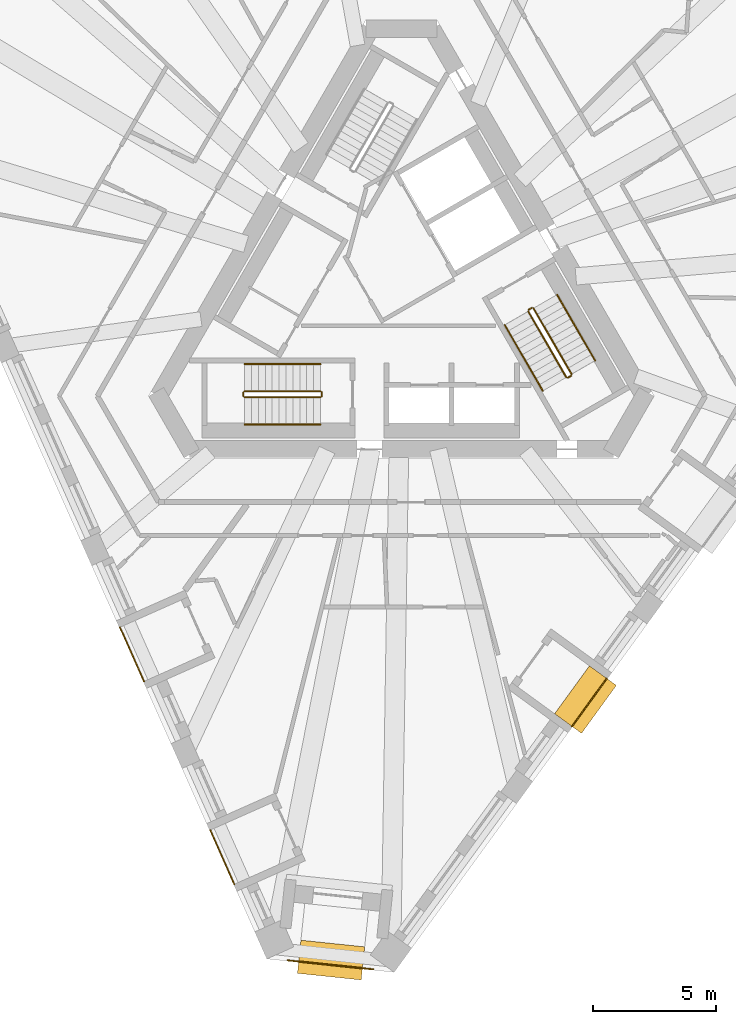
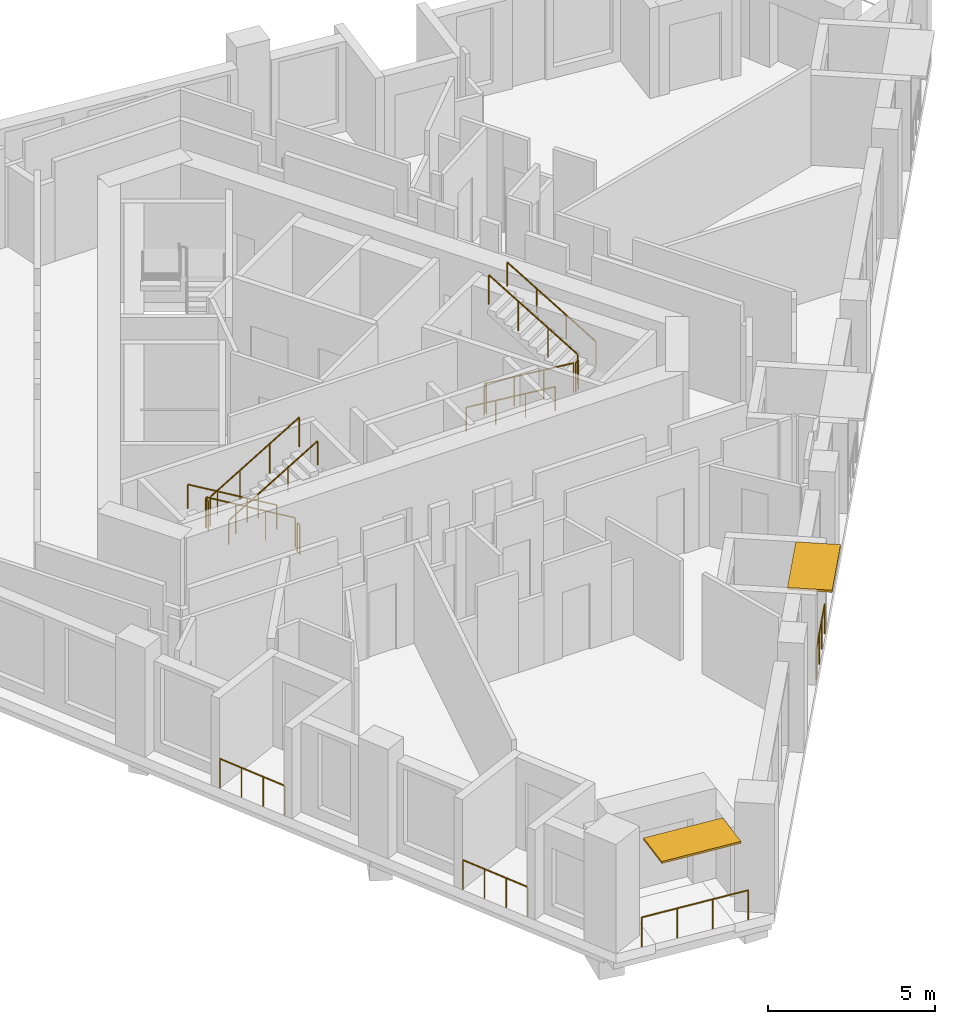
# One storey, part 9 of 11: 16 railings, 2 shading devices.
"""IFC4 building model written with IfcOpenShell, lengths in metres."""

import ifcopenshell
import ifcopenshell.guid

model = None  # the IFC model being written
_history = None  # IfcOwnerHistory: only IFC2X3 demands one
_inside = {}  # id of a spatial element -> (the spatial element, [elements in it])
_under = {}  # id of a project, library or spatial element -> (it, [spatial elements below it])
_declared = {}  # id of a project -> (the project, [libraries it declares])
_typed = {}  # id of a type object -> (the type object, [elements of that type])
_made_of = {}  # id of a material, layer set ... -> (it, [elements and type objects made of it])


def new_model(schema):
    """Start an empty IFC model of exactly this schema.

    Asked for "IFC4X3", IfcOpenShell would pick the latest addendum, in which some entities
    have other attributes; the version numbers below select the first issue.
    IFC2X3 requires an IfcOwnerHistory on every rooted entity: one is made here for all.
    """
    global model, _history
    if schema == "IFC4X3":
        model = ifcopenshell.file(schema_version=(4, 3, 0, 0))
    else:
        model = ifcopenshell.file(schema=schema)
    _inside.clear()
    _under.clear()
    _declared.clear()
    _typed.clear()
    _made_of.clear()
    _history = None
    if model.schema == "IFC2X3":
        org = make("IfcOrganization", Name="unknown")
        user = make(
            "IfcPersonAndOrganization",
            ThePerson=make("IfcPerson", FamilyName="unknown"),
            TheOrganization=org,
        )
        app = make(
            "IfcApplication",
            ApplicationDeveloper=org,
            Version="unknown",
            ApplicationFullName="unknown",
            ApplicationIdentifier="unknown",
        )
        _history = make(
            "IfcOwnerHistory",
            OwningUser=user,
            OwningApplication=app,
            ChangeAction="ADDED",
            CreationDate=0,
        )
    return model


def make(cls, **values):
    """One entity of the class cls with the attributes given. An attribute that is None is left unset."""
    return model.create_entity(
        cls, **{name: value for name, value in values.items() if value is not None}
    )


def rooted(cls, **values):
    """An entity with a GlobalId (a new one), such as an element, a storey or a relation."""
    return make(cls, GlobalId=ifcopenshell.guid.new(), OwnerHistory=_history, **values)


def si_unit(unit_type, name, prefix=None):
    """IfcSIUnit, for example si_unit("LENGTHUNIT", "METRE", prefix="MILLI")."""
    return make("IfcSIUnit", UnitType=unit_type, Prefix=prefix, Name=name)


def assignment(units):
    """IfcUnitAssignment: the units of a project."""
    return None if units is None else make("IfcUnitAssignment", Units=units)


def point(xyz):
    """IfcCartesianPoint."""
    return None if xyz is None else make("IfcCartesianPoint", Coordinates=xyz)


def direction(xyz):
    """IfcDirection."""
    return None if xyz is None else make("IfcDirection", DirectionRatios=xyz)


def frame(location, z_axis=None, x_axis=None):
    """IfcAxis2Placement3D, a coordinate frame: its origin and axes. An axis left out is left unset."""
    return make(
        "IfcAxis2Placement3D",
        Location=point(location),
        Axis=direction(z_axis),
        RefDirection=direction(x_axis),
    )


def frame_2d(location, x_axis=None):
    """IfcAxis2Placement2D, a coordinate frame in the plane: its origin and x axis."""
    return make(
        "IfcAxis2Placement2D", Location=point(location), RefDirection=direction(x_axis)
    )


def origin():
    """The frame at (0, 0, 0) with its axes left unset."""
    return frame((0.0, 0.0, 0.0))


def origin_2d():
    """The frame at (0, 0) in the plane with its x axis left unset."""
    return frame_2d((0.0, 0.0))


def place(relative_to, where):
    """IfcLocalPlacement: puts the frame where relative to a parent placement (None: the world)."""
    return make(
        "IfcLocalPlacement", PlacementRelTo=relative_to, RelativePlacement=where
    )


def context(
    kind, dimensions, precision=None, world=None, true_north=None, identifier=None
):
    """IfcGeometricRepresentationContext, for example the 3D "Model" context."""
    return make(
        "IfcGeometricRepresentationContext",
        ContextIdentifier=identifier,
        ContextType=kind,
        CoordinateSpaceDimension=dimensions,
        Precision=precision,
        WorldCoordinateSystem=world,
        TrueNorth=true_north,
    )


def subcontext(parent, identifier, kind, view, scale=None):
    """IfcGeometricRepresentationSubContext, for example "Body" below "Model"."""
    return make(
        "IfcGeometricRepresentationSubContext",
        ContextIdentifier=identifier,
        ContextType=kind,
        ParentContext=parent,
        TargetScale=scale,
        TargetView=view,
    )


def project(units=None, contexts=None):
    """IfcProject with its units and contexts."""
    return rooted(
        "IfcProject",
        Name="project",
        RepresentationContexts=contexts,
        UnitsInContext=assignment(units),
    )


def spatial(cls, under=None, at=None, **own):
    """A site, building, storey or space (cls), placed at a placement, below another one or the project."""
    s = rooted(cls, ObjectPlacement=at, **own)
    if under is not None:
        _under.setdefault(under.id(), (under, []))[1].append(s)
    return s


def profile(cls, at=None, kind="AREA", **sizes):
    """A parametric profile (cls). Its sizes go by their IFC names, for example OverallWidth=200.0."""
    return make(cls, ProfileType=kind, Position=at, **sizes)


def rectangle(**sizes):
    """IfcRectangleProfileDef."""
    return profile("IfcRectangleProfileDef", **sizes)


def circle(**sizes):
    """IfcCircleProfileDef."""
    return profile("IfcCircleProfileDef", **sizes)


def extrude(swept, where, along, depth):
    """IfcExtrudedAreaSolid: the profile swept, set in the frame where, extruded along a direction by depth."""
    return make(
        "IfcExtrudedAreaSolid",
        SweptArea=swept,
        Position=where,
        ExtrudedDirection=direction(along),
        Depth=depth,
    )


def shape(context_of_items, identifier, shape_type, items):
    """IfcShapeRepresentation: the items that make up one representation, for example the "Body"."""
    return make(
        "IfcShapeRepresentation",
        ContextOfItems=context_of_items,
        RepresentationIdentifier=identifier,
        RepresentationType=shape_type,
        Items=items,
    )


def material(Name=None, Category=None):
    """IfcMaterial."""
    return make("IfcMaterial", Name=Name, Category=Category)


def layer(
    of_material, thickness, ventilated=None, Name=None, Category=None, Priority=None
):
    """IfcMaterialLayer: one layer of a wall or slab, of a material (None: an air gap)."""
    return make(
        "IfcMaterialLayer",
        Material=of_material,
        LayerThickness=thickness,
        IsVentilated=ventilated,
        Name=Name,
        Category=Category,
        Priority=Priority,
    )


def layer_set(layers, Name=None):
    """IfcMaterialLayerSet."""
    return make("IfcMaterialLayerSet", MaterialLayers=layers, LayerSetName=Name)


def made_of(thing, what):
    """Note that an element or type object is made of a material, layer set ...; save() writes the relation."""
    if what is not None:
        _made_of.setdefault(what.id(), (what, []))[1].append(thing)
    return thing


def type_object(cls, material=None, **own):
    """A type object (cls), such as IfcWallType, which elements share."""
    return made_of(rooted(cls, **own), material)


def element(
    cls,
    number,
    at=None,
    inside=None,
    cuts=None,
    type_object=None,
    material=None,
    context=None,
    identifier="Body",
    shape_type=None,
    held_by="IfcProductDefinitionShape",
    body=None,
    shapes=None,
    **own,
):
    """One element of the class cls, such as IfcWall. Its Tag is "e" and its number.

    at: its placement. inside: the storey or other place that contains it. cuts: it is an
    opening in that element (IfcRelVoidsElement). A single representation is given by context,
    identifier, shape_type and body (its items); several are given by shapes. held_by: the class
    of the entity that holds the representations. save() writes the other relations.
    """
    e = rooted(cls, Tag="e%d" % number, ObjectPlacement=at, **own)
    if body is not None:
        shapes = [shape(context, identifier, shape_type, body)]
    if shapes is not None:
        e.Representation = make(held_by, Representations=shapes)
    if inside is not None:
        _inside.setdefault(inside.id(), (inside, []))[1].append(e)
    if cuts is not None:
        rooted(
            "IfcRelVoidsElement", RelatingBuildingElement=cuts, RelatedOpeningElement=e
        )
    if type_object is not None:
        _typed.setdefault(type_object.id(), (type_object, []))[1].append(e)
    return made_of(e, material)


def aggregate(whole, parts):
    """IfcRelAggregates: a whole, such as a stair, and the parts it consists of."""
    return rooted("IfcRelAggregates", RelatingObject=whole, RelatedObjects=parts)


def save(model, path):
    """Write the relations noted so far, then the file.

    IfcRelAggregates (storeys below a building ...), IfcRelContainedInSpatialStructure (elements
    in a storey), IfcRelDefinesByType, IfcRelAssociatesMaterial and IfcRelDeclares: one each for
    every whole, place, type object, material and project.
    """
    for whole, parts in _under.values():
        aggregate(whole, parts)
    for where, things in _inside.values():
        rooted(
            "IfcRelContainedInSpatialStructure",
            RelatedElements=things,
            RelatingStructure=where,
        )
    for kind, things in _typed.values():
        rooted("IfcRelDefinesByType", RelatedObjects=things, RelatingType=kind)
    for what, things in _made_of.values():
        rooted("IfcRelAssociatesMaterial", RelatedObjects=things, RelatingMaterial=what)
    for by, libraries in _declared.values():
        rooted("IfcRelDeclares", RelatingContext=by, RelatedDefinitions=libraries)
    model.write(path)


model = new_model("IFC4")

# Units and contexts
model_context = context("Model", 3, precision=1e-05, world=origin(), true_north=direction((0.0, 1.0)))
body_context = subcontext(model_context, "Body", "Model", "MODEL_VIEW")
ifc_project = project(units=[si_unit("LENGTHUNIT", "METRE"), si_unit("AREAUNIT", "SQUARE_METRE"), si_unit("VOLUMEUNIT", "CUBIC_METRE"), si_unit("PLANEANGLEUNIT", "RADIAN"), si_unit("MASSUNIT", "GRAM", prefix="KILO")], contexts=[model_context])

# Site, building, storey
site_placement = place(None, origin())
site = spatial("IfcSite", under=ifc_project, at=site_placement, CompositionType="ELEMENT")
building_placement = place(site_placement, origin())
building = spatial("IfcBuilding", under=site, at=building_placement, Name="Tramontana Tower", CompositionType="ELEMENT")
storey_placement = place(building_placement, frame((0.0, 0.0, 257.199951171875)))
storey = spatial("IfcBuildingStorey", under=building, at=storey_placement, Name="L60", CompositionType="ELEMENT", Elevation=257.199951171875)

# Railings
ifc_material_1 = material(Name="Laminated glass balustrade", Category="glass")
railing_type_1 = type_object("IfcRailingType", Name="GD1 Loggia glass balustrade 1100", PredefinedType="BALUSTRADE", material=ifc_material_1)
for number, where, name in (
    (1, (-11.41455078125, -13.626220703125, 0.0), "Loggia balustrade L60 G6S0.10"),
    (2, (-7.751220703125, -21.854248046875, 0.0), "Loggia balustrade L60 G6S0.13"),
):
    element("IfcRailing", number, at=place(storey_placement, frame(where)), inside=storey, type_object=railing_type_1, Name=name, PredefinedType="BALUSTRADE", context=body_context, shape_type="SweptSolid", body=[
        extrude(circle(Radius=0.02392578125, at=origin_2d()), frame((0.0, 0.0, 1.076171875), z_axis=(0.406723017018, -0.913551524232, 0.0), x_axis=(0.913551524232, 0.406723017018, 0.0)), (0.0, 0.0, 1.0), 2.40234375),
        extrude(circle(Radius=0.02099609375, at=origin_2d()), origin(), (0.0, 0.0, 1.0), 1.052001953125),
        extrude(circle(Radius=0.02099609375, at=origin_2d()), frame((0.32568359375, -0.7314453125, 0.0)), (0.0, 0.0, 1.0), 1.052001953125),
        extrude(circle(Radius=0.02099609375, at=origin_2d()), frame((0.6513671875, -1.463134765625, 0.0)), (0.0, 0.0, 1.0), 1.052001953125),
        extrude(circle(Radius=0.02099609375, at=origin_2d()), frame((0.97705078125, -2.194580078125, 0.0)), (0.0, 0.0, 1.0), 1.052001953125),
    ])
railing_1_placement = place(storey_placement, frame((6.919921875, -17.645263671875, 0.0)))
element("IfcRailing", 3, at=railing_1_placement, inside=storey, type_object=railing_type_1, Name="Loggia balustrade L60 G6S1.4", PredefinedType="BALUSTRADE", context=body_context, shape_type="SweptSolid", body=[
    extrude(circle(Radius=0.02392578125, at=origin_2d()), frame((0.0, 0.0, 1.076171875), z_axis=(0.587784915375, 0.80901723916, 0.0), x_axis=(-0.80901723916, 0.587784915375, 0.0)), (0.0, 0.0, 1.0), 2.40234375),
    extrude(circle(Radius=0.02099609375, at=origin_2d()), origin(), (0.0, 0.0, 1.0), 1.052001953125),
    extrude(circle(Radius=0.02099609375, at=origin_2d()), frame((0.470703125, 0.64794921875, 0.0)), (0.0, 0.0, 1.0), 1.052001953125),
    extrude(circle(Radius=0.02099609375, at=origin_2d()), frame((0.94140625, 1.295654296875, 0.0)), (0.0, 0.0, 1.0), 1.052001953125),
    extrude(circle(Radius=0.02099609375, at=origin_2d()), frame((1.412109375, 1.943603515625, 0.0)), (0.0, 0.0, 1.0), 1.052001953125),
])
railing_2_placement = place(storey_placement, frame((-1.131103515625, -27.50244140625, 0.0)))
element("IfcRailing", 4, at=railing_2_placement, inside=storey, type_object=railing_type_1, Name="Corner loggia balustrade L60 K61", PredefinedType="BALUSTRADE", context=body_context, shape_type="SweptSolid", body=[
    extrude(circle(Radius=0.02392578125, at=origin_2d()), frame((0.0, 0.0, 1.076171875), z_axis=(-0.994518059202, 0.104564955513, 0.0), x_axis=(-0.104564955513, -0.994518059202, 0.0)), (0.0, 0.0, 1.0), 3.5),
    extrude(circle(Radius=0.02099609375, at=origin_2d()), origin(), (0.0, 0.0, 1.0), 1.052001953125),
    extrude(circle(Radius=0.02099609375, at=origin_2d()), frame((-1.16015625, 0.1220703125, 0.0)), (0.0, 0.0, 1.0), 1.052001953125),
    extrude(circle(Radius=0.02099609375, at=origin_2d()), frame((-2.320556640625, 0.243896484375, 0.0)), (0.0, 0.0, 1.0), 1.052001953125),
    extrude(circle(Radius=0.02099609375, at=origin_2d()), frame((-3.480712890625, 0.365966796875, 0.0)), (0.0, 0.0, 1.0), 1.052001953125),
])

# Shading devices
ifc_material_2 = material(Name="Precast concrete 60 MPa", Category="concrete")
ifc_layer_1 = layer(ifc_material_2, 0.070068359375)
ifc_layer_set_1 = layer_set([ifc_layer_1], Name="SS2 Stone sunshade blade 70")
shading_device_type_1 = type_object("IfcShadingDeviceType", Name="SS2 Stone sunshade blade 70", PredefinedType="USERDEFINED", material=ifc_layer_set_1)
shading_device_1_placement = place(storey_placement, frame((-2.85107421875, -27.12548828125, 3.22998046875), z_axis=(0.0, 0.0, 1.0), x_axis=(-0.994521895368, 0.104528463268, 0.0)))
element("IfcShadingDevice", 5, at=shading_device_1_placement, inside=storey, type_object=shading_device_type_1, Name="Corner sunshade L60 K61", ObjectType="SUNSHADE", PredefinedType="USERDEFINED", context=body_context, shape_type="SweptSolid", body=[
    extrude(rectangle(XDim=2.60009765625, YDim=1.35009765625, at=origin_2d()), origin(), (0.0, 0.0, 1.0), 0.070068359375),
])
ifc_material_3 = material(Name="Precast concrete 60 MPa", Category="concrete")
ifc_layer_2 = layer(ifc_material_3, 0.080078125)
ifc_layer_set_2 = layer_set([ifc_layer_2], Name="SS3 Stone sunshade blade 80")
shading_device_type_2 = type_object("IfcShadingDeviceType", Name="SS3 Stone sunshade blade 80", PredefinedType="USERDEFINED", material=ifc_layer_set_2)
shading_device_2_placement = place(storey_placement, frame((7.46826171875, -16.558837890625, 3.219970703125), z_axis=(0.0, 0.0, 1.0), x_axis=(0.587785252292, 0.809016994375, 0.0)))
element("IfcShadingDevice", 6, at=shading_device_2_placement, inside=storey, type_object=shading_device_type_2, Name="Sunshade L60 G6S1.4", ObjectType="SUNSHADE", PredefinedType="USERDEFINED", context=body_context, shape_type="SweptSolid", body=[
    extrude(rectangle(XDim=2.402099609375, YDim=1.35009765625, at=origin_2d()), origin(), (0.0, 0.0, 1.0), 0.080078125),
])

# Railings
ifc_material_4 = material(Name="Painted steel", Category="steel")
railing_type_2 = type_object("IfcRailingType", Name="STAIR GUARD 1100", PredefinedType="GUARDRAIL", material=ifc_material_4)
railing_3_placement = place(storey_placement, frame((-3.280029296875, -4.050048828125, 0.166748046875)))
element("IfcRailing", 7, at=railing_3_placement, inside=storey, type_object=railing_type_2, Name="L60 ST2 stair guard 1", PredefinedType="GUARDRAIL", context=body_context, shape_type="SweptSolid", body=[
    extrude(circle(Radius=0.02392578125, at=origin_2d()), frame((0.0, 0.0, 1.076171875), z_axis=(-0.859308565015, 0.0, 0.511457515432), x_axis=(0.0, -1.0, 0.0)), (0.0, 0.0, 1.0), 3.58447265625),
    extrude(circle(Radius=0.02099609375, at=origin_2d()), origin(), (0.0, 0.0, 1.0), 1.052001953125),
    extrude(circle(Radius=0.02099609375, at=origin_2d()), frame((-1.026611328125, 0.0, 0.611083984375)), (0.0, 0.0, 1.0), 1.052001953125),
    extrude(circle(Radius=0.02099609375, at=origin_2d()), frame((-2.053466796875, 0.0, 1.22216796875)), (0.0, 0.0, 1.0), 1.052001953125),
    extrude(circle(Radius=0.02099609375, at=origin_2d()), frame((-3.080078125, 0.0, 1.833251953125)), (0.0, 0.0, 1.0), 1.052001953125),
])
railing_4_placement = place(storey_placement, frame((-6.360107421875, -4.300048828125, 2.166748046875)))
element("IfcRailing", 8, at=railing_4_placement, inside=storey, type_object=railing_type_2, Name="L60 ST2 stair guard 2", PredefinedType="GUARDRAIL", context=body_context, shape_type="SweptSolid", body=[
    extrude(circle(Radius=0.02392578125, at=origin_2d()), frame((0.0, 0.0, 1.076171875), z_axis=(0.859308565015, 0.0, 0.511457515432), x_axis=(0.0, 1.0, 0.0)), (0.0, 0.0, 1.0), 3.58447265625),
    extrude(circle(Radius=0.02099609375, at=origin_2d()), origin(), (0.0, 0.0, 1.0), 1.052001953125),
    extrude(circle(Radius=0.02099609375, at=origin_2d()), frame((1.026611328125, 0.0, 0.611083984375)), (0.0, 0.0, 1.0), 1.052001953125),
    extrude(circle(Radius=0.02099609375, at=origin_2d()), frame((2.053466796875, 0.0, 1.22216796875)), (0.0, 0.0, 1.0), 1.052001953125),
    extrude(circle(Radius=0.02099609375, at=origin_2d()), frame((3.080078125, 0.0, 1.833251953125)), (0.0, 0.0, 1.0), 1.052001953125),
])
for number, where, name in (
    (9, (-6.409912109375, -4.10009765625, 2.0), "L60 ST2 stair guard 3"),
    (10, (-3.22998046875, -4.10009765625, 0.0), "L60 ST2 stair guard 4"),
):
    element("IfcRailing", number, at=place(storey_placement, frame(where)), inside=storey, type_object=railing_type_2, Name=name, PredefinedType="GUARDRAIL", context=body_context, shape_type="SweptSolid", body=[
        extrude(circle(Radius=0.02392578125, at=origin_2d()), frame((0.0, 0.0, 1.076171875), z_axis=(0.0, -1.0, 0.0), x_axis=(1.0, 0.0, 0.0)), (0.0, 0.0, 1.0), 0.14990234375),
        extrude(circle(Radius=0.02099609375, at=origin_2d()), origin(), (0.0, 0.0, 1.0), 1.052001953125),
        extrude(circle(Radius=0.02099609375, at=origin_2d()), frame((0.0, -0.14990234375, 0.0)), (0.0, 0.0, 1.0), 1.052001953125),
    ])
railing_5_placement = place(storey_placement, frame((5.1474609375, -0.815673828125, 0.166748046875)))
element("IfcRailing", 11, at=railing_5_placement, inside=storey, type_object=railing_type_2, Name="L60 ST3 stair guard 1", PredefinedType="GUARDRAIL", context=body_context, shape_type="SweptSolid", body=[
    extrude(circle(Radius=0.02392578125, at=origin_2d()), frame((0.0, 0.0, 1.076171875), z_axis=(0.429671193721, -0.744159446956, 0.511477646425), x_axis=(0.866010015463, 0.500026652407, 0.0)), (0.0, 0.0, 1.0), 3.584228515625),
    extrude(circle(Radius=0.02099609375, at=origin_2d()), origin(), (0.0, 0.0, 1.0), 1.052001953125),
    extrude(circle(Radius=0.02099609375, at=origin_2d()), frame((0.513427734375, -0.88916015625, 0.611083984375)), (0.0, 0.0, 1.0), 1.052001953125),
    extrude(circle(Radius=0.02099609375, at=origin_2d()), frame((1.026611328125, -1.778076171875, 1.22216796875)), (0.0, 0.0, 1.0), 1.052001953125),
    extrude(circle(Radius=0.02099609375, at=origin_2d()), frame((1.5400390625, -2.667236328125, 1.833251953125)), (0.0, 0.0, 1.0), 1.052001953125),
])
railing_6_placement = place(storey_placement, frame((6.90380859375, -3.35791015625, 2.166748046875)))
element("IfcRailing", 12, at=railing_6_placement, inside=storey, type_object=railing_type_2, Name="L60 ST3 stair guard 2", PredefinedType="GUARDRAIL", context=body_context, shape_type="SweptSolid", body=[
    extrude(circle(Radius=0.02392578125, at=origin_2d()), frame((0.0, 0.0, 1.076171875), z_axis=(-0.429615651263, 0.74418122563, 0.511492615401), x_axis=(-0.866044340336, -0.499967199496, 0.0)), (0.0, 0.0, 1.0), 3.584228515625),
    extrude(circle(Radius=0.02099609375, at=origin_2d()), origin(), (0.0, 0.0, 1.0), 1.052001953125),
    extrude(circle(Radius=0.02099609375, at=origin_2d()), frame((-0.51318359375, 0.88916015625, 0.611083984375)), (0.0, 0.0, 1.0), 1.052001953125),
    extrude(circle(Radius=0.02099609375, at=origin_2d()), frame((-1.026611328125, 1.778076171875, 1.22216796875)), (0.0, 0.0, 1.0), 1.052001953125),
    extrude(circle(Radius=0.02099609375, at=origin_2d()), frame((-1.539794921875, 2.667236328125, 1.833251953125)), (0.0, 0.0, 1.0), 1.052001953125),
])
for number, where, name in (
    (13, (6.755615234375, -3.501220703125, 2.0), "L60 ST3 stair guard 3"),
    (14, (5.165771484375, -0.747314453125, 0.0), "L60 ST3 stair guard 4"),
):
    element("IfcRailing", number, at=place(storey_placement, frame(where)), inside=storey, type_object=railing_type_2, Name=name, PredefinedType="GUARDRAIL", context=body_context, shape_type="SweptSolid", body=[
        extrude(circle(Radius=0.02392578125, at=origin_2d()), frame((0.0, 0.0, 1.076171875), z_axis=(0.866131372301, 0.499816412211, 0.0), x_axis=(-0.499816412211, 0.866131372301, 0.0)), (0.0, 0.0, 1.0), 0.14990234375),
        extrude(circle(Radius=0.02099609375, at=origin_2d()), origin(), (0.0, 0.0, 1.0), 1.052001953125),
        extrude(circle(Radius=0.02099609375, at=origin_2d()), frame((0.1298828125, 0.074951171875, 0.0)), (0.0, 0.0, 1.0), 1.052001953125),
    ])
ifc_material_5 = material(Name="Painted steel", Category="steel")
railing_type_3 = type_object("IfcRailingType", Name="STAIR HANDRAIL 900", PredefinedType="HANDRAIL", material=ifc_material_5)
railing_7_placement = place(storey_placement, frame((-3.280029296875, -2.949951171875, 0.166748046875)))
element("IfcRailing", 15, at=railing_7_placement, inside=storey, type_object=railing_type_3, Name="L60 ST2 stair handrail 1", PredefinedType="HANDRAIL", context=body_context, shape_type="SweptSolid", body=[
    extrude(circle(Radius=0.02392578125, at=origin_2d()), frame((0.0, 0.0, 0.8759765625), z_axis=(-0.859308565015, 0.0, 0.511457515432), x_axis=(0.0, -1.0, 0.0)), (0.0, 0.0, 1.0), 3.58447265625),
    extrude(circle(Radius=0.02099609375, at=origin_2d()), origin(), (0.0, 0.0, 1.0), 0.851806640625),
    extrude(circle(Radius=0.02099609375, at=origin_2d()), frame((-1.026611328125, 0.0, 0.611083984375)), (0.0, 0.0, 1.0), 0.851806640625),
    extrude(circle(Radius=0.02099609375, at=origin_2d()), frame((-2.053466796875, 0.0, 1.22216796875)), (0.0, 0.0, 1.0), 0.851806640625),
    extrude(circle(Radius=0.02099609375, at=origin_2d()), frame((-3.080078125, 0.0, 1.833251953125)), (0.0, 0.0, 1.0), 0.851806640625),
])
railing_8_placement = place(storey_placement, frame((-6.360107421875, -5.39990234375, 2.166748046875)))
element("IfcRailing", 16, at=railing_8_placement, inside=storey, type_object=railing_type_3, Name="L60 ST2 stair handrail 2", PredefinedType="HANDRAIL", context=body_context, shape_type="SweptSolid", body=[
    extrude(circle(Radius=0.02392578125, at=origin_2d()), frame((0.0, 0.0, 0.8759765625), z_axis=(0.859308565015, 0.0, 0.511457515432), x_axis=(0.0, 1.0, 0.0)), (0.0, 0.0, 1.0), 3.58447265625),
    extrude(circle(Radius=0.02099609375, at=origin_2d()), origin(), (0.0, 0.0, 1.0), 0.851806640625),
    extrude(circle(Radius=0.02099609375, at=origin_2d()), frame((1.026611328125, 0.0, 0.611083984375)), (0.0, 0.0, 1.0), 0.851806640625),
    extrude(circle(Radius=0.02099609375, at=origin_2d()), frame((2.053466796875, 0.0, 1.22216796875)), (0.0, 0.0, 1.0), 0.851806640625),
    extrude(circle(Radius=0.02099609375, at=origin_2d()), frame((3.080078125, 0.0, 1.833251953125)), (0.0, 0.0, 1.0), 0.851806640625),
])
railing_9_placement = place(storey_placement, frame((4.19482421875, -1.365478515625, 0.166748046875)))
element("IfcRailing", 17, at=railing_9_placement, inside=storey, type_object=railing_type_3, Name="L60 ST3 stair handrail 1", PredefinedType="HANDRAIL", context=body_context, shape_type="SweptSolid", body=[
    extrude(circle(Radius=0.02392578125, at=origin_2d()), frame((0.0, 0.0, 0.8759765625), z_axis=(0.429649414936, -0.744189839504, 0.511451721109), x_axis=(0.866029832698, 0.499992328818, 0.0)), (0.0, 0.0, 1.0), 3.58447265625),
    extrude(circle(Radius=0.02099609375, at=origin_2d()), origin(), (0.0, 0.0, 1.0), 0.851806640625),
    extrude(circle(Radius=0.02099609375, at=origin_2d()), frame((0.513427734375, -0.88916015625, 0.611083984375)), (0.0, 0.0, 1.0), 0.851806640625),
    extrude(circle(Radius=0.02099609375, at=origin_2d()), frame((1.026611328125, -1.7783203125, 1.22216796875)), (0.0, 0.0, 1.0), 0.851806640625),
    extrude(circle(Radius=0.02099609375, at=origin_2d()), frame((1.5400390625, -2.66748046875, 1.833251953125)), (0.0, 0.0, 1.0), 0.851806640625),
])
railing_10_placement = place(storey_placement, frame((7.8564453125, -2.807861328125, 2.166748046875)))
element("IfcRailing", 18, at=railing_10_placement, inside=storey, type_object=railing_type_3, Name="L60 ST3 stair handrail 2", PredefinedType="HANDRAIL", context=body_context, shape_type="SweptSolid", body=[
    extrude(circle(Radius=0.02392578125, at=origin_2d()), frame((0.0, 0.0, 0.8759765625), z_axis=(-0.429615651263, 0.74418122563, 0.511492615401), x_axis=(-0.866044340336, -0.499967199496, 0.0)), (0.0, 0.0, 1.0), 3.584228515625),
    extrude(circle(Radius=0.02099609375, at=origin_2d()), origin(), (0.0, 0.0, 1.0), 0.851806640625),
    extrude(circle(Radius=0.02099609375, at=origin_2d()), frame((-0.51318359375, 0.88916015625, 0.611083984375)), (0.0, 0.0, 1.0), 0.851806640625),
    extrude(circle(Radius=0.02099609375, at=origin_2d()), frame((-1.026611328125, 1.778076171875, 1.22216796875)), (0.0, 0.0, 1.0), 0.851806640625),
    extrude(circle(Radius=0.02099609375, at=origin_2d()), frame((-1.539794921875, 2.667236328125, 1.833251953125)), (0.0, 0.0, 1.0), 0.851806640625),
])

save(model, "model.ifc")
